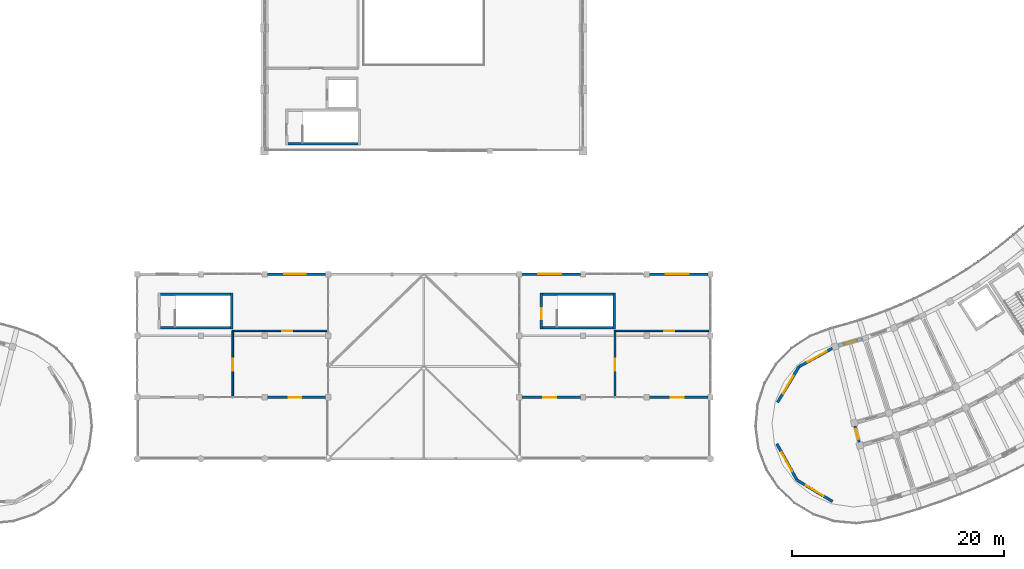
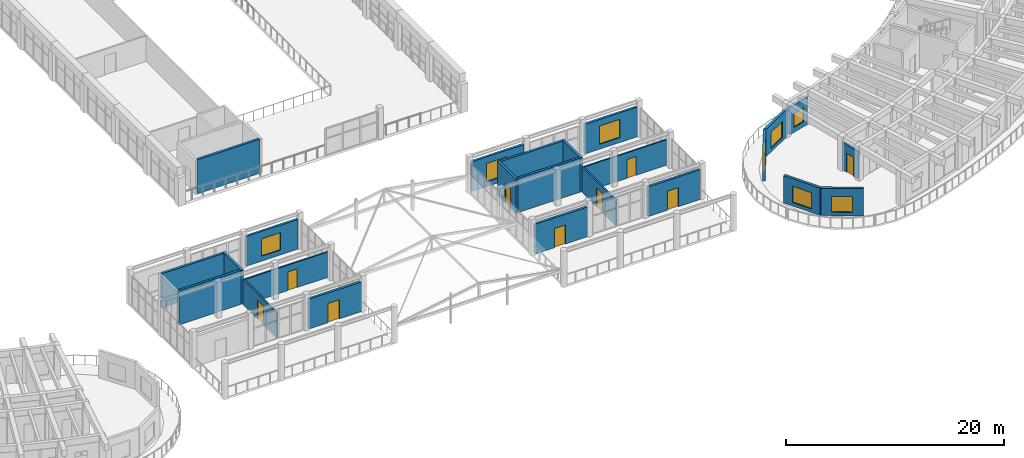
# One storey, part 85 of 128: 24 walls, 9 doors, 8 windows, 17 openings.
"""IFC4 building model written with IfcOpenShell, lengths in metres."""

import ifcopenshell
import ifcopenshell.guid

model = None  # the IFC model being written
_history = None  # IfcOwnerHistory: only IFC2X3 demands one
_inside = {}  # id of a spatial element -> (the spatial element, [elements in it])
_under = {}  # id of a project, library or spatial element -> (it, [spatial elements below it])
_declared = {}  # id of a project -> (the project, [libraries it declares])
_typed = {}  # id of a type object -> (the type object, [elements of that type])
_made_of = {}  # id of a material, layer set ... -> (it, [elements and type objects made of it])


def new_model(schema):
    """Start an empty IFC model of exactly this schema.

    Asked for "IFC4X3", IfcOpenShell would pick the latest addendum, in which some entities
    have other attributes; the version numbers below select the first issue.
    IFC2X3 requires an IfcOwnerHistory on every rooted entity: one is made here for all.
    """
    global model, _history
    if schema == "IFC4X3":
        model = ifcopenshell.file(schema_version=(4, 3, 0, 0))
    else:
        model = ifcopenshell.file(schema=schema)
    _inside.clear()
    _under.clear()
    _declared.clear()
    _typed.clear()
    _made_of.clear()
    _history = None
    if model.schema == "IFC2X3":
        org = make("IfcOrganization", Name="unknown")
        user = make(
            "IfcPersonAndOrganization",
            ThePerson=make("IfcPerson", FamilyName="unknown"),
            TheOrganization=org,
        )
        app = make(
            "IfcApplication",
            ApplicationDeveloper=org,
            Version="unknown",
            ApplicationFullName="unknown",
            ApplicationIdentifier="unknown",
        )
        _history = make(
            "IfcOwnerHistory",
            OwningUser=user,
            OwningApplication=app,
            ChangeAction="ADDED",
            CreationDate=0,
        )
    return model


def make(cls, **values):
    """One entity of the class cls with the attributes given. An attribute that is None is left unset."""
    return model.create_entity(
        cls, **{name: value for name, value in values.items() if value is not None}
    )


def rooted(cls, **values):
    """An entity with a GlobalId (a new one), such as an element, a storey or a relation."""
    return make(cls, GlobalId=ifcopenshell.guid.new(), OwnerHistory=_history, **values)


def si_unit(unit_type, name, prefix=None):
    """IfcSIUnit, for example si_unit("LENGTHUNIT", "METRE", prefix="MILLI")."""
    return make("IfcSIUnit", UnitType=unit_type, Prefix=prefix, Name=name)


def assignment(units):
    """IfcUnitAssignment: the units of a project."""
    return None if units is None else make("IfcUnitAssignment", Units=units)


def point(xyz):
    """IfcCartesianPoint."""
    return None if xyz is None else make("IfcCartesianPoint", Coordinates=xyz)


def direction(xyz):
    """IfcDirection."""
    return None if xyz is None else make("IfcDirection", DirectionRatios=xyz)


def frame(location, z_axis=None, x_axis=None):
    """IfcAxis2Placement3D, a coordinate frame: its origin and axes. An axis left out is left unset."""
    return make(
        "IfcAxis2Placement3D",
        Location=point(location),
        Axis=direction(z_axis),
        RefDirection=direction(x_axis),
    )


def frame_2d(location, x_axis=None):
    """IfcAxis2Placement2D, a coordinate frame in the plane: its origin and x axis."""
    return make(
        "IfcAxis2Placement2D", Location=point(location), RefDirection=direction(x_axis)
    )


def origin():
    """The frame at (0, 0, 0) with its axes left unset."""
    return frame((0.0, 0.0, 0.0))


def place(relative_to, where):
    """IfcLocalPlacement: puts the frame where relative to a parent placement (None: the world)."""
    return make(
        "IfcLocalPlacement", PlacementRelTo=relative_to, RelativePlacement=where
    )


def context(
    kind, dimensions, precision=None, world=None, true_north=None, identifier=None
):
    """IfcGeometricRepresentationContext, for example the 3D "Model" context."""
    return make(
        "IfcGeometricRepresentationContext",
        ContextIdentifier=identifier,
        ContextType=kind,
        CoordinateSpaceDimension=dimensions,
        Precision=precision,
        WorldCoordinateSystem=world,
        TrueNorth=true_north,
    )


def subcontext(parent, identifier, kind, view, scale=None):
    """IfcGeometricRepresentationSubContext, for example "Body" below "Model"."""
    return make(
        "IfcGeometricRepresentationSubContext",
        ContextIdentifier=identifier,
        ContextType=kind,
        ParentContext=parent,
        TargetScale=scale,
        TargetView=view,
    )


def project(units=None, contexts=None):
    """IfcProject with its units and contexts."""
    return rooted(
        "IfcProject",
        Name="project",
        RepresentationContexts=contexts,
        UnitsInContext=assignment(units),
    )


def spatial(cls, under=None, at=None, **own):
    """A site, building, storey or space (cls), placed at a placement, below another one or the project."""
    s = rooted(cls, ObjectPlacement=at, **own)
    if under is not None:
        _under.setdefault(under.id(), (under, []))[1].append(s)
    return s


def profile(cls, at=None, kind="AREA", **sizes):
    """A parametric profile (cls). Its sizes go by their IFC names, for example OverallWidth=200.0."""
    return make(cls, ProfileType=kind, Position=at, **sizes)


def rectangle(**sizes):
    """IfcRectangleProfileDef."""
    return profile("IfcRectangleProfileDef", **sizes)


def extrude(swept, where, along, depth):
    """IfcExtrudedAreaSolid: the profile swept, set in the frame where, extruded along a direction by depth."""
    return make(
        "IfcExtrudedAreaSolid",
        SweptArea=swept,
        Position=where,
        ExtrudedDirection=direction(along),
        Depth=depth,
    )


def shape(context_of_items, identifier, shape_type, items):
    """IfcShapeRepresentation: the items that make up one representation, for example the "Body"."""
    return make(
        "IfcShapeRepresentation",
        ContextOfItems=context_of_items,
        RepresentationIdentifier=identifier,
        RepresentationType=shape_type,
        Items=items,
    )


def material(Name=None, Category=None):
    """IfcMaterial."""
    return make("IfcMaterial", Name=Name, Category=Category)


def layer(
    of_material, thickness, ventilated=None, Name=None, Category=None, Priority=None
):
    """IfcMaterialLayer: one layer of a wall or slab, of a material (None: an air gap)."""
    return make(
        "IfcMaterialLayer",
        Material=of_material,
        LayerThickness=thickness,
        IsVentilated=ventilated,
        Name=Name,
        Category=Category,
        Priority=Priority,
    )


def layer_set(layers, Name=None):
    """IfcMaterialLayerSet."""
    return make("IfcMaterialLayerSet", MaterialLayers=layers, LayerSetName=Name)


def made_of(thing, what):
    """Note that an element or type object is made of a material, layer set ...; save() writes the relation."""
    if what is not None:
        _made_of.setdefault(what.id(), (what, []))[1].append(thing)
    return thing


def type_object(cls, material=None, **own):
    """A type object (cls), such as IfcWallType, which elements share."""
    return made_of(rooted(cls, **own), material)


def element(
    cls,
    number,
    at=None,
    inside=None,
    cuts=None,
    type_object=None,
    material=None,
    context=None,
    identifier="Body",
    shape_type=None,
    held_by="IfcProductDefinitionShape",
    body=None,
    shapes=None,
    **own,
):
    """One element of the class cls, such as IfcWall. Its Tag is "e" and its number.

    at: its placement. inside: the storey or other place that contains it. cuts: it is an
    opening in that element (IfcRelVoidsElement). A single representation is given by context,
    identifier, shape_type and body (its items); several are given by shapes. held_by: the class
    of the entity that holds the representations. save() writes the other relations.
    """
    e = rooted(cls, Tag="e%d" % number, ObjectPlacement=at, **own)
    if body is not None:
        shapes = [shape(context, identifier, shape_type, body)]
    if shapes is not None:
        e.Representation = make(held_by, Representations=shapes)
    if inside is not None:
        _inside.setdefault(inside.id(), (inside, []))[1].append(e)
    if cuts is not None:
        rooted(
            "IfcRelVoidsElement", RelatingBuildingElement=cuts, RelatedOpeningElement=e
        )
    if type_object is not None:
        _typed.setdefault(type_object.id(), (type_object, []))[1].append(e)
    return made_of(e, material)


def fill(opening, filler):
    """IfcRelFillsElement: the door or window that sits in an opening."""
    return rooted(
        "IfcRelFillsElement",
        RelatingOpeningElement=opening,
        RelatedBuildingElement=filler,
    )


def aggregate(whole, parts):
    """IfcRelAggregates: a whole, such as a stair, and the parts it consists of."""
    return rooted("IfcRelAggregates", RelatingObject=whole, RelatedObjects=parts)


def save(model, path):
    """Write the relations noted so far, then the file.

    IfcRelAggregates (storeys below a building ...), IfcRelContainedInSpatialStructure (elements
    in a storey), IfcRelDefinesByType, IfcRelAssociatesMaterial and IfcRelDeclares: one each for
    every whole, place, type object, material and project.
    """
    for whole, parts in _under.values():
        aggregate(whole, parts)
    for where, things in _inside.values():
        rooted(
            "IfcRelContainedInSpatialStructure",
            RelatedElements=things,
            RelatingStructure=where,
        )
    for kind, things in _typed.values():
        rooted("IfcRelDefinesByType", RelatedObjects=things, RelatingType=kind)
    for what, things in _made_of.values():
        rooted("IfcRelAssociatesMaterial", RelatedObjects=things, RelatingMaterial=what)
    for by, libraries in _declared.values():
        rooted("IfcRelDeclares", RelatingContext=by, RelatedDefinitions=libraries)
    model.write(path)


model = new_model("IFC4")

# Units and contexts
model_context = context("Model", 3, precision=1e-05, world=origin(), true_north=direction((0.0, 1.0)))
body_context = subcontext(model_context, "Body", "Model", "MODEL_VIEW")
ifc_project = project(units=[si_unit("LENGTHUNIT", "METRE"), si_unit("AREAUNIT", "SQUARE_METRE"), si_unit("VOLUMEUNIT", "CUBIC_METRE"), si_unit("PLANEANGLEUNIT", "RADIAN"), si_unit("MASSUNIT", "GRAM", prefix="KILO")], contexts=[model_context])

# Site, building, storey
site_placement = place(None, origin())
site = spatial("IfcSite", under=ifc_project, at=site_placement, CompositionType="ELEMENT")
building_placement = place(site_placement, origin())
building = spatial("IfcBuilding", under=site, at=building_placement, Name="Tanwirah Colonnade Gardens", CompositionType="ELEMENT")
storey_placement = place(building_placement, frame((0.0, 0.0, 4.760009765625)))
storey = spatial("IfcBuildingStorey", under=building, at=storey_placement, Name="L01", CompositionType="ELEMENT", Elevation=4.760009765625)

# Wall, opening, door
ifc_material_1 = material(Name="Limestone architectural precast concrete C40/50", Category="masonry")
ifc_layer_1 = layer(ifc_material_1, 0.239990234375)
ifc_layer_set_1 = layer_set([ifc_layer_1], Name="Limestone architectural precast concrete C40/50")
wall_type_1 = type_object("IfcWallType", Name="EW-PC240", PredefinedType="SOLIDWALL", material=ifc_layer_set_1)
wall_1_placement = place(storey_placement, frame((78.219970703125, 16.60009765625, 0.0), z_axis=(0.0, 0.0, 1.0), x_axis=(1.0, 0.0, 0.0)))
wall_1 = element("IfcWall", 1, at=wall_1_placement, inside=storey, type_object=wall_type_1, Name="Boulevard Shops W L01 S Wall 2", PredefinedType="SOLIDWALL", context=body_context, shape_type="SweptSolid", body=[
    extrude(rectangle(XDim=5.56005859375, YDim=0.239990234375, at=frame_2d((2.780029296875, 0.0))), origin(), (0.0, 0.0, 1.0), 3.340087890625),
])
opening_1_placement = place(wall_1_placement, frame((2.050048828125, 0.0, 0.0)))
opening_1 = element("IfcOpeningElement", 2, at=opening_1_placement, cuts=wall_1, Name="Opening L01-ED227", PredefinedType="OPENING", context=body_context, shape_type="SweptSolid", body=[
    extrude(rectangle(XDim=1.199951171875, YDim=2.14990234375, at=frame_2d((0.60009765625, 1.074951171875))), frame((0.0, 0.1298828125, 0.0), z_axis=(0.0, -1.0, 0.0), x_axis=(1.0, 0.0, 0.0)), (0.0, 0.0, 1.0), 0.260009765625),
])
ifc_material_2 = material(Name="Bronze aluminium glazed terrace door", Category="aluminium")
door_type_1 = type_object("IfcDoorType", Name="ED-TER120", OperationType="NOTDEFINED", PredefinedType="DOOR", material=ifc_material_2)
door_1_placement = place(opening_1_placement, origin())
door_1 = element("IfcDoor", 3, at=door_1_placement, inside=storey, type_object=door_type_1, Name="Boulevard Shop Terrace Door L01-ED227", OperationType="SINGLE_SWING_LEFT", OverallHeight=2.14990234375, OverallWidth=1.199951171875, PredefinedType="DOOR", context=body_context, shape_type="SweptSolid", body=[
    extrude(rectangle(XDim=1.199951171875, YDim=2.14990234375, at=frame_2d((0.60009765625, 1.074951171875))), frame((0.0, 0.02490234375, 0.0), z_axis=(0.0, -1.0, 0.0), x_axis=(1.0, 0.0, 0.0)), (0.0, 0.0, 1.0), 0.050048828125),
])
fill(opening_1, door_1)

# Wall, opening, window
wall_2_placement = place(storey_placement, frame((78.219970703125, 28.199951171875, 0.0), z_axis=(0.0, 0.0, 1.0), x_axis=(1.0, 0.0, 0.0)))
wall_2 = element("IfcWall", 4, at=wall_2_placement, inside=storey, type_object=wall_type_1, Name="Boulevard Shops W L01 N Wall 2", PredefinedType="SOLIDWALL", context=body_context, shape_type="SweptSolid", body=[
    extrude(rectangle(XDim=5.56005859375, YDim=0.239990234375, at=frame_2d((2.780029296875, 0.0))), origin(), (0.0, 0.0, 1.0), 3.340087890625),
])
opening_2_placement = place(wall_2_placement, frame((1.639892578125, 0.0, 0.550048828125)))
opening_2 = element("IfcOpeningElement", 5, at=opening_2_placement, cuts=wall_2, Name="Opening WIN-SHP1", PredefinedType="OPENING", context=body_context, shape_type="SweptSolid", body=[
    extrude(rectangle(XDim=2.02001953125, YDim=1.949951171875, at=frame_2d((1.010009765625, 0.97509765625))), frame((0.0, 0.1298828125, 0.0), z_axis=(0.0, -1.0, 0.0), x_axis=(1.0, 0.0, 0.0)), (0.0, 0.0, 1.0), 0.260009765625),
])
ifc_material_3 = material(Name="Thermally broken bronze aluminium and solar low-E double glazing", Category="aluminium")
window_type_1 = type_object("IfcWindowType", Name="WIN-SHP1", PartitioningType="TRIPLE_PANEL_VERTICAL", PredefinedType="WINDOW", material=ifc_material_3)
window_1_placement = place(opening_2_placement, origin())
window_1 = element("IfcWindow", 6, at=window_1_placement, inside=storey, type_object=window_type_1, Name="Boulevard Shop Window W-L01-2", OverallHeight=1.949951171875, OverallWidth=2.02001953125, PartitioningType="SINGLE_PANEL", PredefinedType="WINDOW", context=body_context, shape_type="SweptSolid", body=[
    extrude(rectangle(XDim=2.02001953125, YDim=1.949951171875, at=frame_2d((1.010009765625, 0.97509765625))), frame((0.0, 0.030029296875, 0.0), z_axis=(0.0, -1.0, 0.0), x_axis=(1.0, 0.0, 0.0)), (0.0, 0.0, 1.0), 0.06005859375),
])
fill(opening_2, window_1)

# Wall, opening, door
wall_3_placement = place(storey_placement, frame((102.219970703125, 16.60009765625, 0.0), z_axis=(0.0, 0.0, 1.0), x_axis=(1.0, 0.0, 0.0)))
wall_3 = element("IfcWall", 7, at=wall_3_placement, inside=storey, type_object=wall_type_1, Name="Boulevard Shops E L01 S Wall 0", PredefinedType="SOLIDWALL", context=body_context, shape_type="SweptSolid", body=[
    extrude(rectangle(XDim=5.56005859375, YDim=0.239990234375, at=frame_2d((2.780029296875, 0.0))), origin(), (0.0, 0.0, 1.0), 3.340087890625),
])
opening_3_placement = place(wall_3_placement, frame((2.050048828125, 0.0, 0.0)))
opening_3 = element("IfcOpeningElement", 8, at=opening_3_placement, cuts=wall_3, Name="Opening L01-ED230", PredefinedType="OPENING", context=body_context, shape_type="SweptSolid", body=[
    extrude(rectangle(XDim=1.199951171875, YDim=2.14990234375, at=frame_2d((0.60009765625, 1.074951171875))), frame((0.0, 0.1298828125, 0.0), z_axis=(0.0, -1.0, 0.0), x_axis=(1.0, 0.0, 0.0)), (0.0, 0.0, 1.0), 0.260009765625),
])
door_2_placement = place(opening_3_placement, origin())
door_2 = element("IfcDoor", 9, at=door_2_placement, inside=storey, type_object=door_type_1, Name="Boulevard Shop Terrace Door L01-ED230", OperationType="SINGLE_SWING_LEFT", OverallHeight=2.14990234375, OverallWidth=1.199951171875, PredefinedType="DOOR", context=body_context, shape_type="SweptSolid", body=[
    extrude(rectangle(XDim=1.199951171875, YDim=2.14990234375, at=frame_2d((0.60009765625, 1.074951171875))), frame((0.0, 0.02490234375, 0.0), z_axis=(0.0, -1.0, 0.0), x_axis=(1.0, 0.0, 0.0)), (0.0, 0.0, 1.0), 0.050048828125),
])
fill(opening_3, door_2)

wall_4_placement = place(storey_placement, frame((114.219970703125, 16.60009765625, 0.0), z_axis=(0.0, 0.0, 1.0), x_axis=(1.0, 0.0, 0.0)))
wall_4 = element("IfcWall", 10, at=wall_4_placement, inside=storey, type_object=wall_type_1, Name="Boulevard Shops E L01 S Wall 2", PredefinedType="SOLIDWALL", context=body_context, shape_type="SweptSolid", body=[
    extrude(rectangle(XDim=5.56005859375, YDim=0.239990234375, at=frame_2d((2.780029296875, 0.0))), origin(), (0.0, 0.0, 1.0), 3.340087890625),
])
opening_4_placement = place(wall_4_placement, frame((2.050048828125, 0.0, 0.0)))
opening_4 = element("IfcOpeningElement", 11, at=opening_4_placement, cuts=wall_4, Name="Opening L01-ED231", PredefinedType="OPENING", context=body_context, shape_type="SweptSolid", body=[
    extrude(rectangle(XDim=1.199951171875, YDim=2.14990234375, at=frame_2d((0.60009765625, 1.074951171875))), frame((0.0, 0.1298828125, 0.0), z_axis=(0.0, -1.0, 0.0), x_axis=(1.0, 0.0, 0.0)), (0.0, 0.0, 1.0), 0.260009765625),
])
door_3_placement = place(opening_4_placement, origin())
door_3 = element("IfcDoor", 12, at=door_3_placement, inside=storey, type_object=door_type_1, Name="Boulevard Shop Terrace Door L01-ED231", OperationType="SINGLE_SWING_LEFT", OverallHeight=2.14990234375, OverallWidth=1.199951171875, PredefinedType="DOOR", context=body_context, shape_type="SweptSolid", body=[
    extrude(rectangle(XDim=1.199951171875, YDim=2.14990234375, at=frame_2d((0.60009765625, 1.074951171875))), frame((0.0, 0.02490234375, 0.0), z_axis=(0.0, -1.0, 0.0), x_axis=(1.0, 0.0, 0.0)), (0.0, 0.0, 1.0), 0.050048828125),
])
fill(opening_4, door_3)

# Wall, opening, window
wall_5_placement = place(storey_placement, frame((102.219970703125, 28.199951171875, 0.0), z_axis=(0.0, 0.0, 1.0), x_axis=(1.0, 0.0, 0.0)))
wall_5 = element("IfcWall", 13, at=wall_5_placement, inside=storey, type_object=wall_type_1, Name="Boulevard Shops E L01 N Wall 0", PredefinedType="SOLIDWALL", context=body_context, shape_type="SweptSolid", body=[
    extrude(rectangle(XDim=5.56005859375, YDim=0.239990234375, at=frame_2d((2.780029296875, 0.0))), origin(), (0.0, 0.0, 1.0), 3.340087890625),
])
opening_5_placement = place(wall_5_placement, frame((1.56005859375, 0.0, 0.550048828125)))
opening_5 = element("IfcOpeningElement", 14, at=opening_5_placement, cuts=wall_5, Name="Opening WIN-SHP2", PredefinedType="OPENING", context=body_context, shape_type="SweptSolid", body=[
    extrude(rectangle(XDim=2.179931640625, YDim=2.050048828125, at=frame_2d((1.08984375, 1.02490234375))), frame((0.0, 0.1298828125, 0.0), z_axis=(0.0, -1.0, 0.0), x_axis=(1.0, 0.0, 0.0)), (0.0, 0.0, 1.0), 0.260009765625),
])
window_type_2 = type_object("IfcWindowType", Name="WIN-SHP2", PartitioningType="TRIPLE_PANEL_VERTICAL", PredefinedType="WINDOW", material=ifc_material_3)
window_2_placement = place(opening_5_placement, origin())
window_2 = element("IfcWindow", 15, at=window_2_placement, inside=storey, type_object=window_type_2, Name="Boulevard Shop Window E-L01-0", OverallHeight=2.050048828125, OverallWidth=2.179931640625, PartitioningType="SINGLE_PANEL", PredefinedType="WINDOW", context=body_context, shape_type="SweptSolid", body=[
    extrude(rectangle(XDim=2.179931640625, YDim=2.050048828125, at=frame_2d((1.08984375, 1.02490234375))), frame((0.0, 0.030029296875, 0.0), z_axis=(0.0, -1.0, 0.0), x_axis=(1.0, 0.0, 0.0)), (0.0, 0.0, 1.0), 0.06005859375),
])
fill(opening_5, window_2)

wall_6_placement = place(storey_placement, frame((114.219970703125, 28.199951171875, 0.0), z_axis=(0.0, 0.0, 1.0), x_axis=(1.0, 0.0, 0.0)))
wall_6 = element("IfcWall", 16, at=wall_6_placement, inside=storey, type_object=wall_type_1, Name="Boulevard Shops E L01 N Wall 2", PredefinedType="SOLIDWALL", context=body_context, shape_type="SweptSolid", body=[
    extrude(rectangle(XDim=5.56005859375, YDim=0.239990234375, at=frame_2d((2.780029296875, 0.0))), origin(), (0.0, 0.0, 1.0), 3.340087890625),
])
opening_6_placement = place(wall_6_placement, frame((1.56005859375, 0.0, 0.550048828125)))
opening_6 = element("IfcOpeningElement", 17, at=opening_6_placement, cuts=wall_6, Name="Opening WIN-SHP2", PredefinedType="OPENING", context=body_context, shape_type="SweptSolid", body=[
    extrude(rectangle(XDim=2.179931640625, YDim=2.050048828125, at=frame_2d((1.08984375, 1.02490234375))), frame((0.0, 0.1298828125, 0.0), z_axis=(0.0, -1.0, 0.0), x_axis=(1.0, 0.0, 0.0)), (0.0, 0.0, 1.0), 0.260009765625),
])
window_3_placement = place(opening_6_placement, origin())
window_3 = element("IfcWindow", 18, at=window_3_placement, inside=storey, type_object=window_type_2, Name="Boulevard Shop Window E-L01-2", OverallHeight=2.050048828125, OverallWidth=2.179931640625, PartitioningType="SINGLE_PANEL", PredefinedType="WINDOW", context=body_context, shape_type="SweptSolid", body=[
    extrude(rectangle(XDim=2.179931640625, YDim=2.050048828125, at=frame_2d((1.08984375, 1.02490234375))), frame((0.0, 0.030029296875, 0.0), z_axis=(0.0, -1.0, 0.0), x_axis=(1.0, 0.0, 0.0)), (0.0, 0.0, 1.0), 0.06005859375),
])
fill(opening_6, window_3)

ifc_layer_2 = layer(ifc_material_1, 0.260009765625)
ifc_layer_set_2 = layer_set([ifc_layer_2], Name="Limestone architectural precast concrete C40/50")
wall_type_2 = type_object("IfcWallType", Name="EW-PC260", PredefinedType="SOLIDWALL", material=ifc_layer_set_2)
wall_7_placement = place(storey_placement, frame((132.017822265625, 21.445556640625, 0.0), z_axis=(0.0, 0.0, 1.0), x_axis=(0.961854311059, 0.273562212847, 0.0)))
wall_7 = element("IfcWall", 19, at=wall_7_placement, inside=storey, type_object=wall_type_2, Name="Block D L01 IN Precast Facade Wall 0", PredefinedType="SOLIDWALL", context=body_context, shape_type="SweptSolid", body=[
    extrude(rectangle(XDim=2.448974609375, YDim=0.260009765625, at=frame_2d((1.224609375, 0.0))), origin(), (0.0, 0.0, 1.0), 3.074951171875),
])
opening_7_placement = place(wall_7_placement, frame((0.58447265625, 0.0, 0.550048828125)))
opening_7 = element("IfcOpeningElement", 20, at=opening_7_placement, cuts=wall_7, Name="Opening WIN-U04", PredefinedType="OPENING", context=body_context, shape_type="SweptSolid", body=[
    extrude(rectangle(XDim=1.280029296875, YDim=1.56005859375, at=frame_2d((0.64013671875, 0.780029296875))), frame((0.0, 0.139892578125, 0.0), z_axis=(0.0, -1.0, 0.0), x_axis=(1.0, 0.0, 0.0)), (0.0, 0.0, 1.0), 0.280029296875),
])
window_type_3 = type_object("IfcWindowType", Name="WIN-U04", PartitioningType="DOUBLE_PANEL_VERTICAL", PredefinedType="WINDOW", material=ifc_material_3)
window_4_placement = place(opening_7_placement, origin())
window_4 = element("IfcWindow", 21, at=window_4_placement, inside=storey, type_object=window_type_3, Name="Facade window D-L01-IN-00", OverallHeight=1.56005859375, OverallWidth=1.280029296875, PartitioningType="SINGLE_PANEL", PredefinedType="WINDOW", context=body_context, shape_type="SweptSolid", body=[
    extrude(rectangle(XDim=1.280029296875, YDim=1.56005859375, at=frame_2d((0.64013671875, 0.780029296875))), frame((0.0, 0.030029296875, 0.0), z_axis=(0.0, -1.0, 0.0), x_axis=(1.0, 0.0, 0.0)), (0.0, 0.0, 1.0), 0.06005859375),
])
fill(opening_7, window_4)

wall_8_placement = place(storey_placement, frame((131.498779296875, 6.787109375, 0.0), z_axis=(0.0, 0.0, 1.0), x_axis=(-0.85715098885, 0.515065221417, 0.0)))
wall_8 = element("IfcWall", 22, at=wall_8_placement, inside=storey, type_object=wall_type_2, Name="Block D L01 START Rounded End Wall 1", PredefinedType="SOLIDWALL", context=body_context, shape_type="SweptSolid", body=[
    extrude(rectangle(XDim=3.908203125, YDim=0.260009765625, at=frame_2d((1.9541015625, 0.0))), origin(), (0.0, 0.0, 1.0), 3.074951171875),
])
opening_8_placement = place(wall_8_placement, frame((0.97900390625, 0.0, 0.39990234375)))
opening_8 = element("IfcOpeningElement", 23, at=opening_8_placement, cuts=wall_8, Name="Opening WIN-END2", PredefinedType="OPENING", context=body_context, shape_type="SweptSolid", body=[
    extrude(rectangle(XDim=1.949951171875, YDim=1.780029296875, at=frame_2d((0.97509765625, 0.89013671875))), frame((0.0, 0.139892578125, 0.0), z_axis=(0.0, -1.0, 0.0), x_axis=(1.0, 0.0, 0.0)), (0.0, 0.0, 1.0), 0.280029296875),
])
window_type_4 = type_object("IfcWindowType", Name="WIN-END2", PartitioningType="TRIPLE_PANEL_VERTICAL", PredefinedType="WINDOW", material=ifc_material_3)
window_5_placement = place(opening_8_placement, origin())
window_5 = element("IfcWindow", 24, at=window_5_placement, inside=storey, type_object=window_type_4, Name="Rounded corner window D-L01-START-1", OverallHeight=1.780029296875, OverallWidth=1.949951171875, PartitioningType="SINGLE_PANEL", PredefinedType="WINDOW", context=body_context, shape_type="SweptSolid", body=[
    extrude(rectangle(XDim=1.949951171875, YDim=1.780029296875, at=frame_2d((0.97509765625, 0.89013671875))), frame((0.0, 0.030029296875, 0.0), z_axis=(0.0, -1.0, 0.0), x_axis=(1.0, 0.0, 0.0)), (0.0, 0.0, 1.0), 0.06005859375),
])
fill(opening_8, window_5)

wall_9_placement = place(storey_placement, frame((128.14892578125, 8.800048828125, 0.0), z_axis=(0.0, 0.0, 1.0), x_axis=(-0.484841794757, 0.874601871743, 0.0)))
wall_9 = element("IfcWall", 25, at=wall_9_placement, inside=storey, type_object=wall_type_2, Name="Block D L01 START Rounded End Wall 2", PredefinedType="SOLIDWALL", context=body_context, shape_type="SweptSolid", body=[
    extrude(rectangle(XDim=3.907958984375, YDim=0.260009765625, at=frame_2d((1.9541015625, 0.0))), origin(), (0.0, 0.0, 1.0), 3.074951171875),
])
opening_9_placement = place(wall_9_placement, frame((0.92919921875, 0.0, 0.39990234375)))
opening_9 = element("IfcOpeningElement", 26, at=opening_9_placement, cuts=wall_9, Name="Opening WIN-END3", PredefinedType="OPENING", context=body_context, shape_type="SweptSolid", body=[
    extrude(rectangle(XDim=2.050048828125, YDim=1.820068359375, at=frame_2d((1.02490234375, 0.91015625))), frame((0.0, 0.139892578125, 0.0), z_axis=(0.0, -1.0, 0.0), x_axis=(1.0, 0.0, 0.0)), (0.0, 0.0, 1.0), 0.280029296875),
])
window_type_5 = type_object("IfcWindowType", Name="WIN-END3", PartitioningType="TRIPLE_PANEL_VERTICAL", PredefinedType="WINDOW", material=ifc_material_3)
window_6_placement = place(opening_9_placement, origin())
window_6 = element("IfcWindow", 27, at=window_6_placement, inside=storey, type_object=window_type_5, Name="Rounded corner window D-L01-START-2", OverallHeight=1.820068359375, OverallWidth=2.050048828125, PartitioningType="SINGLE_PANEL", PredefinedType="WINDOW", context=body_context, shape_type="SweptSolid", body=[
    extrude(rectangle(XDim=2.050048828125, YDim=1.820068359375, at=frame_2d((1.02490234375, 0.91015625))), frame((0.0, 0.030029296875, 0.0), z_axis=(0.0, -1.0, 0.0), x_axis=(1.0, 0.0, 0.0)), (0.0, 0.0, 1.0), 0.06005859375),
])
fill(opening_9, window_6)

wall_10_placement = place(storey_placement, frame((126.322509765625, 16.125732421875, 0.0), z_axis=(0.0, 0.0, 1.0), x_axis=(0.515019321998, 0.857178568309, 0.0)))
wall_10 = element("IfcWall", 28, at=wall_10_placement, inside=storey, type_object=wall_type_2, Name="Block D L01 START Rounded End Wall 4", PredefinedType="SOLIDWALL", context=body_context, shape_type="SweptSolid", body=[
    extrude(rectangle(XDim=3.907958984375, YDim=0.260009765625, at=frame_2d((1.9541015625, 0.0))), origin(), (0.0, 0.0, 1.0), 3.074951171875),
])
opening_10_placement = place(wall_10_placement, frame((0.97900390625, 0.0, 0.39990234375)))
opening_10 = element("IfcOpeningElement", 29, at=opening_10_placement, cuts=wall_10, Name="Opening WIN-END2", PredefinedType="OPENING", context=body_context, shape_type="SweptSolid", body=[
    extrude(rectangle(XDim=1.949951171875, YDim=1.780029296875, at=frame_2d((0.97509765625, 0.89013671875))), frame((0.0, 0.139892578125, 0.0), z_axis=(0.0, -1.0, 0.0), x_axis=(1.0, 0.0, 0.0)), (0.0, 0.0, 1.0), 0.280029296875),
])
window_7_placement = place(opening_10_placement, origin())
window_7 = element("IfcWindow", 30, at=window_7_placement, inside=storey, type_object=window_type_4, Name="Rounded corner window D-L01-START-4", OverallHeight=1.780029296875, OverallWidth=1.949951171875, PartitioningType="SINGLE_PANEL", PredefinedType="WINDOW", context=body_context, shape_type="SweptSolid", body=[
    extrude(rectangle(XDim=1.949951171875, YDim=1.780029296875, at=frame_2d((0.97509765625, 0.89013671875))), frame((0.0, 0.030029296875, 0.0), z_axis=(0.0, -1.0, 0.0), x_axis=(1.0, 0.0, 0.0)), (0.0, 0.0, 1.0), 0.06005859375),
])
fill(opening_10, window_7)

wall_11_placement = place(storey_placement, frame((128.335205078125, 19.4755859375, 0.0), z_axis=(0.0, 0.0, 1.0), x_axis=(0.874616555828, 0.48481530532, 0.0)))
wall_11 = element("IfcWall", 31, at=wall_11_placement, inside=storey, type_object=wall_type_2, Name="Block D L01 START Rounded End Wall 5", PredefinedType="SOLIDWALL", context=body_context, shape_type="SweptSolid", body=[
    extrude(rectangle(XDim=3.908203125, YDim=0.260009765625, at=frame_2d((1.9541015625, 0.0))), origin(), (0.0, 0.0, 1.0), 3.074951171875),
])
opening_11_placement = place(wall_11_placement, frame((0.92919921875, 0.0, 0.39990234375)))
opening_11 = element("IfcOpeningElement", 32, at=opening_11_placement, cuts=wall_11, Name="Opening WIN-END3", PredefinedType="OPENING", context=body_context, shape_type="SweptSolid", body=[
    extrude(rectangle(XDim=2.050048828125, YDim=1.820068359375, at=frame_2d((1.02490234375, 0.91015625))), frame((0.0, 0.139892578125, 0.0), z_axis=(0.0, -1.0, 0.0), x_axis=(1.0, 0.0, 0.0)), (0.0, 0.0, 1.0), 0.280029296875),
])
window_8_placement = place(opening_11_placement, origin())
window_8 = element("IfcWindow", 33, at=window_8_placement, inside=storey, type_object=window_type_5, Name="Rounded corner window D-L01-START-5", OverallHeight=1.820068359375, OverallWidth=2.050048828125, PartitioningType="SINGLE_PANEL", PredefinedType="WINDOW", context=body_context, shape_type="SweptSolid", body=[
    extrude(rectangle(XDim=2.050048828125, YDim=1.820068359375, at=frame_2d((1.02490234375, 0.91015625))), frame((0.0, 0.030029296875, 0.0), z_axis=(0.0, -1.0, 0.0), x_axis=(1.0, 0.0, 0.0)), (0.0, 0.0, 1.0), 0.06005859375),
])
fill(opening_11, window_8)

# Wall, opening, door
ifc_material_4 = material(Name="Precast concrete C40/50", Category="concrete")
ifc_layer_3 = layer(ifc_material_4, 0.195068359375)
ifc_layer_set_3 = layer_set([ifc_layer_3], Name="Precast concrete C40/50")
wall_type_3 = type_object("IfcWallType", Name="IW-CORR195", PredefinedType="PARTITIONING", material=ifc_layer_set_3)
wall_12_placement = place(storey_placement, frame((133.5556640625, 14.1416015625, 0.0), z_axis=(0.0, 0.0, 1.0), x_axis=(0.241933770084, -0.970292765557, 0.0)))
wall_12 = element("IfcWall", 34, at=wall_12_placement, inside=storey, type_object=wall_type_3, Name="Block D L01 CS Corner Suite Corridor Wall", PredefinedType="PARTITIONING", context=body_context, shape_type="SweptSolid", body=[
    extrude(rectangle(XDim=2.10009765625, YDim=0.195068359375, at=frame_2d((1.050048828125, 0.0))), origin(), (0.0, 0.0, 1.0), 3.090087890625),
])
opening_12_placement = place(wall_12_placement, frame((0.570068359375, 0.0, 0.0)))
opening_12 = element("IfcOpeningElement", 35, at=opening_12_placement, cuts=wall_12, Name="Opening L01-CD1722", PredefinedType="OPENING", context=body_context, shape_type="SweptSolid", body=[
    extrude(rectangle(XDim=0.949951171875, YDim=2.1298828125, at=frame_2d((0.47509765625, 1.06494140625))), frame((0.0, 0.107421875, 0.0), z_axis=(0.0, -1.0, 0.0), x_axis=(1.0, 0.0, 0.0)), (0.0, 0.0, 1.0), 0.215087890625),
])
ifc_material_5 = material(Name="Solid oak fire-resisting apartment entrance door")
door_type_2 = type_object("IfcDoorType", Name="ID-FLT095", OperationType="NOTDEFINED", PredefinedType="DOOR", material=ifc_material_5)
door_4_placement = place(opening_12_placement, origin())
door_4 = element("IfcDoor", 36, at=door_4_placement, inside=storey, type_object=door_type_2, Name="Corner suite entrance door L01-CD1722", OperationType="SINGLE_SWING_LEFT", OverallHeight=2.1298828125, OverallWidth=0.949951171875, PredefinedType="DOOR", context=body_context, shape_type="SweptSolid", body=[
    extrude(rectangle(XDim=0.949951171875, YDim=2.1298828125, at=frame_2d((0.47509765625, 1.06494140625))), frame((0.0, 0.02490234375, 0.0), z_axis=(0.0, -1.0, 0.0), x_axis=(1.0, 0.0, 0.0)), (0.0, 0.0, 1.0), 0.050048828125),
])
fill(opening_12, door_4)

ifc_material_6 = material(Name="Fire-rated acoustic blockwork partition", Category="masonry")
ifc_layer_4 = layer(ifc_material_6, 0.159912109375)
ifc_layer_set_4 = layer_set([ifc_layer_4], Name="Fire-rated acoustic blockwork partition")
wall_type_4 = type_object("IfcWallType", Name="IW-PAV160", PredefinedType="PARTITIONING", material=ifc_layer_set_4)
wall_13_placement = place(storey_placement, frame((75.0, 16.719970703125, 0.0), z_axis=(0.0, 0.0, 1.0), x_axis=(0.0, 1.0, 0.0)))
wall_13 = element("IfcWall", 37, at=wall_13_placement, inside=storey, type_object=wall_type_4, Name="Interior Partition IW-SHPW-DIV1", PredefinedType="PARTITIONING", context=body_context, shape_type="SweptSolid", body=[
    extrude(rectangle(XDim=6.130126953125, YDim=0.159912109375, at=frame_2d((3.06494140625, 0.0))), origin(), (0.0, 0.0, 1.0), 2.860107421875),
])
opening_13_placement = place(wall_13_placement, frame((2.38232421875, 0.0, 0.0)))
opening_13 = element("IfcOpeningElement", 38, at=opening_13_placement, cuts=wall_13, Name="Opening L01-VD1971", PredefinedType="OPENING", context=body_context, shape_type="SweptSolid", body=[
    extrude(rectangle(XDim=1.1201171875, YDim=2.1201171875, at=frame_2d((0.56005859375, 1.06005859375))), frame((0.0, 0.08984375, 0.0), z_axis=(0.0, -1.0, 0.0), x_axis=(1.0, 0.0, 0.0)), (0.0, 0.0, 1.0), 0.179931640625),
])
ifc_material_7 = material(Name="Commercial suite oak fire door")
door_type_3 = type_object("IfcDoorType", Name="ID-SHP11", OperationType="NOTDEFINED", PredefinedType="DOOR", material=ifc_material_7)
door_5_placement = place(opening_13_placement, origin())
door_5 = element("IfcDoor", 39, at=door_5_placement, inside=storey, type_object=door_type_3, Name="Civic interior door L01-VD1971", OperationType="SINGLE_SWING_RIGHT", OverallHeight=2.1201171875, OverallWidth=1.1201171875, PredefinedType="DOOR", context=body_context, shape_type="SweptSolid", body=[
    extrude(rectangle(XDim=1.1201171875, YDim=2.1201171875, at=frame_2d((0.56005859375, 1.06005859375))), frame((0.0, 0.02490234375, 0.0), z_axis=(0.0, -1.0, 0.0), x_axis=(1.0, 0.0, 0.0)), (0.0, 0.0, 1.0), 0.050048828125),
])
fill(opening_13, door_5)

wall_14_placement = place(storey_placement, frame((111.0, 16.719970703125, 0.0), z_axis=(0.0, 0.0, 1.0), x_axis=(0.0, 1.0, 0.0)))
wall_14 = element("IfcWall", 40, at=wall_14_placement, inside=storey, type_object=wall_type_4, Name="Interior Partition IW-SHPE-DIV1", PredefinedType="PARTITIONING", context=body_context, shape_type="SweptSolid", body=[
    extrude(rectangle(XDim=6.130126953125, YDim=0.159912109375, at=frame_2d((3.06494140625, 0.0))), origin(), (0.0, 0.0, 1.0), 2.860107421875),
])
opening_14_placement = place(wall_14_placement, frame((2.38232421875, 0.0, 0.0)))
opening_14 = element("IfcOpeningElement", 41, at=opening_14_placement, cuts=wall_14, Name="Opening L01-VD1973", PredefinedType="OPENING", context=body_context, shape_type="SweptSolid", body=[
    extrude(rectangle(XDim=1.1201171875, YDim=2.1201171875, at=frame_2d((0.56005859375, 1.06005859375))), frame((0.0, 0.08984375, 0.0), z_axis=(0.0, -1.0, 0.0), x_axis=(1.0, 0.0, 0.0)), (0.0, 0.0, 1.0), 0.179931640625),
])
door_6_placement = place(opening_14_placement, origin())
door_6 = element("IfcDoor", 42, at=door_6_placement, inside=storey, type_object=door_type_3, Name="Civic interior door L01-VD1973", OperationType="SINGLE_SWING_LEFT", OverallHeight=2.1201171875, OverallWidth=1.1201171875, PredefinedType="DOOR", context=body_context, shape_type="SweptSolid", body=[
    extrude(rectangle(XDim=1.1201171875, YDim=2.1201171875, at=frame_2d((0.56005859375, 1.06005859375))), frame((0.0, 0.02490234375, 0.0), z_axis=(0.0, -1.0, 0.0), x_axis=(1.0, 0.0, 0.0)), (0.0, 0.0, 1.0), 0.050048828125),
])
fill(opening_14, door_6)

ifc_material_8 = material(Name="Water-resistant acoustic plumbing partition")
ifc_layer_5 = layer(ifc_material_8, 0.139892578125)
ifc_layer_set_5 = layer_set([ifc_layer_5], Name="Water-resistant acoustic plumbing partition")
wall_type_5 = type_object("IfcWallType", Name="IW-WET140", PredefinedType="PLUMBINGWALL", material=ifc_layer_set_5)
wall_15_placement = place(storey_placement, frame((74.949951171875, 22.85009765625, 0.0), z_axis=(0.0, 0.0, 1.0), x_axis=(1.0, 0.0, 0.0)))
wall_15 = element("IfcWall", 43, at=wall_15_placement, inside=storey, type_object=wall_type_5, Name="Interior Partition IW-SHPW-COR1", PredefinedType="PLUMBINGWALL", context=body_context, shape_type="SweptSolid", body=[
    extrude(rectangle(XDim=8.929931640625, YDim=0.139892578125, at=frame_2d((4.46484375, 0.0))), origin(), (0.0, 0.0, 1.0), 2.860107421875),
])
opening_15_placement = place(wall_15_placement, frame((4.699462890625, 0.0, 0.0)))
opening_15 = element("IfcOpeningElement", 44, at=opening_15_placement, cuts=wall_15, Name="Opening L01-VD1972", PredefinedType="OPENING", context=body_context, shape_type="SweptSolid", body=[
    extrude(rectangle(XDim=0.9599609375, YDim=2.10009765625, at=frame_2d((0.47998046875, 1.050048828125))), frame((0.0, 0.079833984375, 0.0), z_axis=(0.0, -1.0, 0.0), x_axis=(1.0, 0.0, 0.0)), (0.0, 0.0, 1.0), 0.159912109375),
])
ifc_material_9 = material(Name="Accessible toilet outward-opening door")
door_type_4 = type_object("IfcDoorType", Name="ID-AWC096", OperationType="NOTDEFINED", PredefinedType="DOOR", material=ifc_material_9)
door_7_placement = place(opening_15_placement, origin())
door_7 = element("IfcDoor", 45, at=door_7_placement, inside=storey, type_object=door_type_4, Name="Civic interior door L01-VD1972", OperationType="SINGLE_SWING_LEFT", OverallHeight=2.10009765625, OverallWidth=0.9599609375, PredefinedType="DOOR", context=body_context, shape_type="SweptSolid", body=[
    extrude(rectangle(XDim=0.9599609375, YDim=2.10009765625, at=frame_2d((0.47998046875, 1.050048828125))), frame((0.0, 0.02490234375, 0.0), z_axis=(0.0, -1.0, 0.0), x_axis=(1.0, 0.0, 0.0)), (0.0, 0.0, 1.0), 0.050048828125),
])
fill(opening_15, door_7)

wall_16_placement = place(storey_placement, frame((110.949951171875, 22.85009765625, 0.0), z_axis=(0.0, 0.0, 1.0), x_axis=(1.0, 0.0, 0.0)))
wall_16 = element("IfcWall", 46, at=wall_16_placement, inside=storey, type_object=wall_type_5, Name="Interior Partition IW-SHPE-COR1", PredefinedType="PLUMBINGWALL", context=body_context, shape_type="SweptSolid", body=[
    extrude(rectangle(XDim=8.929931640625, YDim=0.139892578125, at=frame_2d((4.46484375, 0.0))), origin(), (0.0, 0.0, 1.0), 2.860107421875),
])
opening_16_placement = place(wall_16_placement, frame((4.699462890625, 0.0, 0.0)))
opening_16 = element("IfcOpeningElement", 47, at=opening_16_placement, cuts=wall_16, Name="Opening L01-VD1974", PredefinedType="OPENING", context=body_context, shape_type="SweptSolid", body=[
    extrude(rectangle(XDim=0.9599609375, YDim=2.10009765625, at=frame_2d((0.47998046875, 1.050048828125))), frame((0.0, 0.079833984375, 0.0), z_axis=(0.0, -1.0, 0.0), x_axis=(1.0, 0.0, 0.0)), (0.0, 0.0, 1.0), 0.159912109375),
])
door_8_placement = place(opening_16_placement, origin())
door_8 = element("IfcDoor", 48, at=door_8_placement, inside=storey, type_object=door_type_4, Name="Civic interior door L01-VD1974", OperationType="SINGLE_SWING_RIGHT", OverallHeight=2.10009765625, OverallWidth=0.9599609375, PredefinedType="DOOR", context=body_context, shape_type="SweptSolid", body=[
    extrude(rectangle(XDim=0.9599609375, YDim=2.10009765625, at=frame_2d((0.47998046875, 1.050048828125))), frame((0.0, 0.02490234375, 0.0), z_axis=(0.0, -1.0, 0.0), x_axis=(1.0, 0.0, 0.0)), (0.0, 0.0, 1.0), 0.050048828125),
])
fill(opening_16, door_8)

# Walls
ifc_material_10 = material(Name="Concrete C45/55", Category="concrete")
ifc_layer_6 = layer(ifc_material_10, 0.235107421875)
ifc_layer_set_6 = layer_set([ifc_layer_6], Name="Concrete C45/55")
wall_type_6 = type_object("IfcWallType", Name="SW-CORE235", PredefinedType="SHEAR", material=ifc_layer_set_6)
for number, where, z_axis, x_axis, name in (
    (49, (80.199951171875, 40.482421875, 0.0), (0.0, 0.0, 1.0), (1.0, 0.0, 0.0), "CORE-H1 L01 Stair Shaft Shear Wall LEFT"),
    (50, (68.199951171875, 23.132568359375, 0.0), (0.0, 0.0, 1.0), (1.0, 0.0, 0.0), "CORE-SW L01 Stair Shaft Shear Wall LEFT"),
):
    element("IfcWall", number, at=place(storey_placement, frame(where, z_axis=z_axis, x_axis=x_axis)), inside=storey, type_object=wall_type_6, Name=name, PredefinedType="SHEAR", context=body_context, shape_type="SweptSolid", body=[
        extrude(rectangle(XDim=6.60009765625, YDim=0.235107421875, at=frame_2d((3.300048828125, 0.0))), origin(), (0.0, 0.0, 1.0), 3.830078125),
    ])
wall_17_placement = place(storey_placement, frame((74.91748046875, 23.014892578125, 0.0), z_axis=(0.0, 0.0, 1.0), x_axis=(0.0, 1.0, 0.0)))
element("IfcWall", 51, at=wall_17_placement, inside=storey, type_object=wall_type_6, Name="CORE-SW L01 Stair Shaft Shear Wall FAR", PredefinedType="SHEAR", context=body_context, shape_type="SweptSolid", body=[
    extrude(rectangle(XDim=3.39013671875, YDim=0.235107421875, at=frame_2d((1.695068359375, 0.0))), origin(), (0.0, 0.0, 1.0), 3.830078125),
])
for number, where, z_axis, x_axis, name in (
    (52, (68.199951171875, 26.28759765625, 0.0), (0.0, 0.0, 1.0), (1.0, 0.0, 0.0), "CORE-SW L01 Stair Shaft Shear Wall RIGHT"),
    (53, (104.199951171875, 23.132568359375, 0.0), (0.0, 0.0, 1.0), (1.0, 0.0, 0.0), "CORE-SE L01 Stair Shaft Shear Wall LEFT"),
):
    element("IfcWall", number, at=place(storey_placement, frame(where, z_axis=z_axis, x_axis=x_axis)), inside=storey, type_object=wall_type_6, Name=name, PredefinedType="SHEAR", context=body_context, shape_type="SweptSolid", body=[
        extrude(rectangle(XDim=6.60009765625, YDim=0.235107421875, at=frame_2d((3.300048828125, 0.0))), origin(), (0.0, 0.0, 1.0), 3.830078125),
    ])
wall_18_placement = place(storey_placement, frame((110.91748046875, 23.014892578125, 0.0), z_axis=(0.0, 0.0, 1.0), x_axis=(0.0, 1.0, 0.0)))
element("IfcWall", 54, at=wall_18_placement, inside=storey, type_object=wall_type_6, Name="CORE-SE L01 Stair Shaft Shear Wall FAR", PredefinedType="SHEAR", context=body_context, shape_type="SweptSolid", body=[
    extrude(rectangle(XDim=3.39013671875, YDim=0.235107421875, at=frame_2d((1.695068359375, 0.0))), origin(), (0.0, 0.0, 1.0), 3.830078125),
])

# Wall, opening, door
wall_19_placement = place(storey_placement, frame((104.08251953125, 23.014892578125, 0.0), z_axis=(0.0, 0.0, 1.0), x_axis=(0.0, 1.0, 0.0)))
wall_19 = element("IfcWall", 55, at=wall_19_placement, inside=storey, type_object=wall_type_6, Name="CORE-SE L01 Stair Shaft Shear Wall NEAR", PredefinedType="SHEAR", context=body_context, shape_type="SweptSolid", body=[
    extrude(rectangle(XDim=3.39013671875, YDim=0.235107421875, at=frame_2d((1.695068359375, 0.0))), origin(), (0.0, 0.0, 1.0), 3.830078125),
])
opening_17_placement = place(wall_19_placement, frame((0.949951171875, 0.0, 0.0)))
opening_17 = element("IfcOpeningElement", 56, at=opening_17_placement, cuts=wall_19, Name="Opening L01-SD220", PredefinedType="OPENING", context=body_context, shape_type="SweptSolid", body=[
    extrude(rectangle(XDim=1.02001953125, YDim=2.139892578125, at=frame_2d((0.510009765625, 1.06982421875))), frame((0.0, 0.12744140625, 0.0), z_axis=(0.0, -1.0, 0.0), x_axis=(1.0, 0.0, 0.0)), (0.0, 0.0, 1.0), 0.255126953125),
])
ifc_material_11 = material(Name="Steel fire-resisting stair enclosure door", Category="steel")
door_type_5 = type_object("IfcDoorType", Name="ID-ST102", OperationType="NOTDEFINED", PredefinedType="DOOR", material=ifc_material_11)
door_9_placement = place(opening_17_placement, origin())
door_9 = element("IfcDoor", 57, at=door_9_placement, inside=storey, type_object=door_type_5, Name="CORE-SE L01 Stair Fire Door L01-SD220", OperationType="SINGLE_SWING_LEFT", OverallHeight=2.139892578125, OverallWidth=1.02001953125, PredefinedType="DOOR", context=body_context, shape_type="SweptSolid", body=[
    extrude(rectangle(XDim=1.02001953125, YDim=2.139892578125, at=frame_2d((0.510009765625, 1.06982421875))), frame((0.0, 0.02490234375, 0.0), z_axis=(0.0, -1.0, 0.0), x_axis=(1.0, 0.0, 0.0)), (0.0, 0.0, 1.0), 0.050048828125),
])
fill(opening_17, door_9)

# Wall
wall_20_placement = place(storey_placement, frame((104.199951171875, 26.28759765625, 0.0), z_axis=(0.0, 0.0, 1.0), x_axis=(1.0, 0.0, 0.0)))
element("IfcWall", 58, at=wall_20_placement, inside=storey, type_object=wall_type_6, Name="CORE-SE L01 Stair Shaft Shear Wall RIGHT", PredefinedType="SHEAR", context=body_context, shape_type="SweptSolid", body=[
    extrude(rectangle(XDim=6.60009765625, YDim=0.235107421875, at=frame_2d((3.300048828125, 0.0))), origin(), (0.0, 0.0, 1.0), 3.830078125),
])

save(model, "model.ifc")
